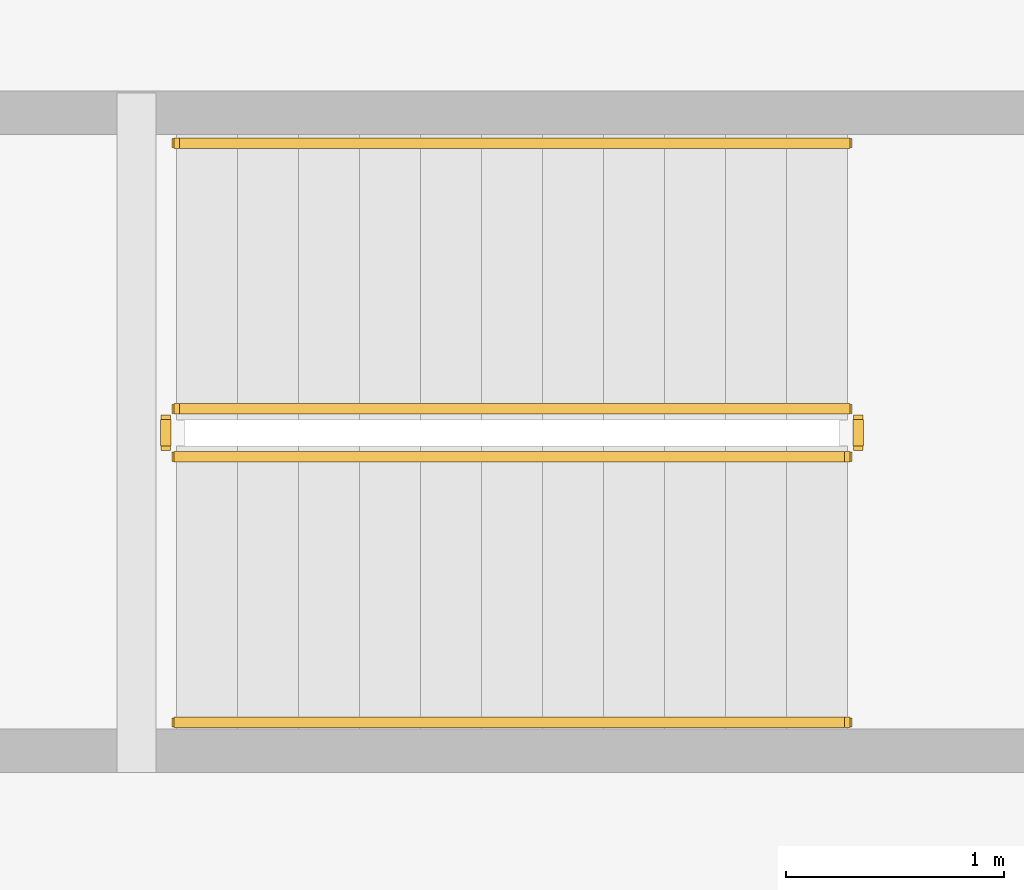
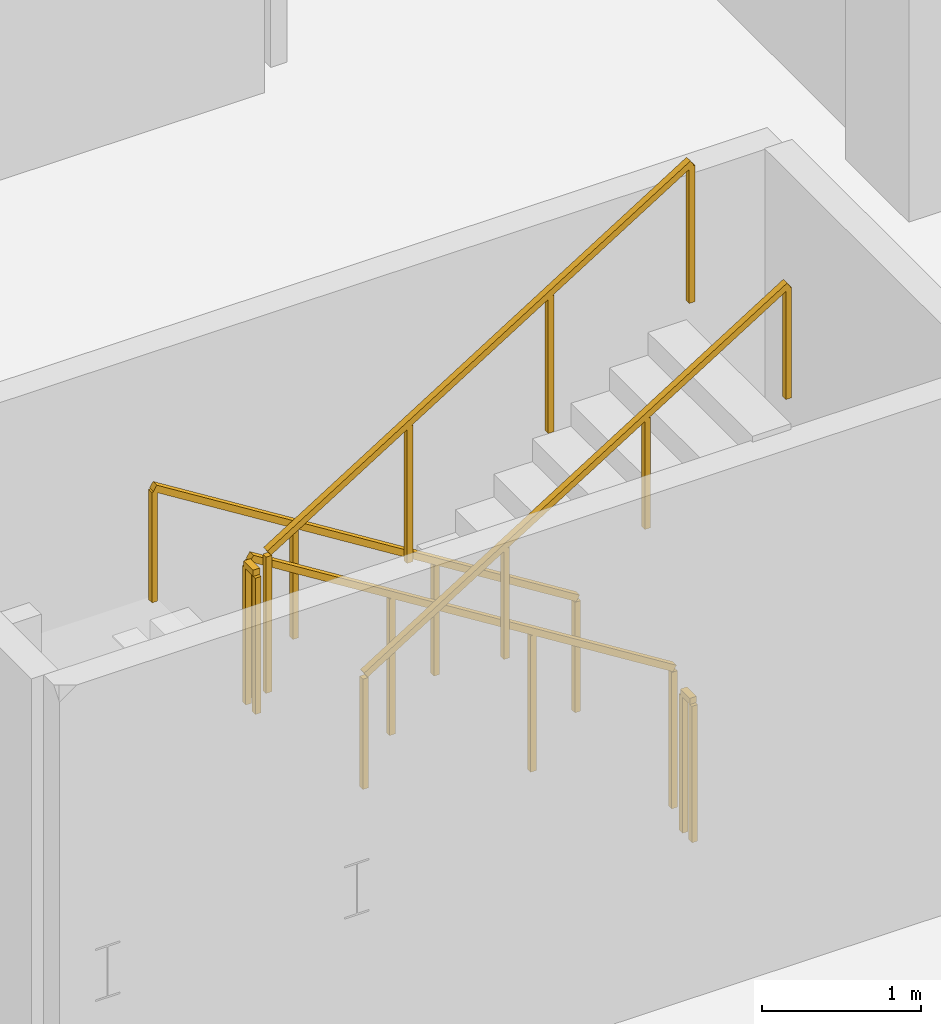
# One storey, part 17 of 21: 6 railings.
"""IFC4 building model written with IfcOpenShell, lengths in metres."""

from ifc_helpers import new_model, si_unit, direction, frame, origin, origin_2d, place, context, subcontext, project, spatial, rectangle, extrude, material, type_object, element, save


model = new_model("IFC4")

# Units and contexts
model_context = context("Model", 3, precision=1e-05, world=origin(), true_north=direction((0.0, 1.0)))
body_context = subcontext(model_context, "Body", "Model", "MODEL_VIEW")
ifc_project = project(units=[si_unit("LENGTHUNIT", "METRE"), si_unit("AREAUNIT", "SQUARE_METRE"), si_unit("VOLUMEUNIT", "CUBIC_METRE"), si_unit("PLANEANGLEUNIT", "RADIAN"), si_unit("MASSUNIT", "GRAM", prefix="KILO")], contexts=[model_context])

# Site, building, storey
site_placement = place(None, origin())
site = spatial("IfcSite", under=ifc_project, at=site_placement, CompositionType="ELEMENT")
building_placement = place(site_placement, origin())
building = spatial("IfcBuilding", under=site, at=building_placement, Name="Qhalaya Broadcast Tower", CompositionType="ELEMENT")
storey_placement = place(building_placement, frame((0.0, 0.0, 21.89990234375)))
storey = spatial("IfcBuildingStorey", under=building, at=storey_placement, Name="L05", CompositionType="ELEMENT", Elevation=21.89990234375)

# Railings
ifc_material = material(Name="Powder-Coated Galvanised Steel", Category="steel")
railing_type_1 = type_object("IfcRailingType", Name="Stair Wall Handrail 900", PredefinedType="HANDRAIL", material=ifc_material)
railing_1_placement = place(storey_placement, frame((-14.39990234375, -0.389892578125, 0.175048828125)))
element("IfcRailing", 1, at=railing_1_placement, inside=storey, type_object=railing_type_1, Name="L05 ST-P1 Stair Handrail 1", PredefinedType="HANDRAIL", context=body_context, shape_type="SweptSolid", body=[
    extrude(rectangle(XDim=0.048095703125, YDim=0.048095703125, at=origin_2d()), frame((0.0, 0.0, 0.8759765625), z_axis=(-0.847998304005, 0.0, 0.529998940003), x_axis=(0.0, -1.0, 0.0)), (0.0, 0.0, 1.0), 3.632080078125),
    extrude(rectangle(XDim=0.0419921875, YDim=0.0419921875, at=origin_2d()), origin(), (0.0, 0.0, 1.0), 0.849853515625),
    extrude(rectangle(XDim=0.0419921875, YDim=0.0419921875, at=origin_2d()), frame((-1.026611328125, 0.0, 0.6416015625)), (0.0, 0.0, 1.0), 0.849853515625),
    extrude(rectangle(XDim=0.0419921875, YDim=0.0419921875, at=origin_2d()), frame((-2.053466796875, 0.0, 1.283447265625)), (0.0, 0.0, 1.0), 0.849853515625),
    extrude(rectangle(XDim=0.0419921875, YDim=0.0419921875, at=origin_2d()), frame((-3.080078125, 0.0, 1.925048828125)), (0.0, 0.0, 1.0), 0.849853515625),
])
railing_2_placement = place(storey_placement, frame((-17.47998046875, -3.050048828125, 2.275146484375)))
element("IfcRailing", 2, at=railing_2_placement, inside=storey, type_object=railing_type_1, Name="L05 ST-P1 Stair Handrail 2", PredefinedType="HANDRAIL", context=body_context, shape_type="SweptSolid", body=[
    extrude(rectangle(XDim=0.048095703125, YDim=0.048095703125, at=origin_2d()), frame((0.0, 0.0, 0.8759765625), z_axis=(0.847998304005, 0.0, 0.529998940003), x_axis=(0.0, 1.0, 0.0)), (0.0, 0.0, 1.0), 3.632080078125),
    extrude(rectangle(XDim=0.0419921875, YDim=0.0419921875, at=origin_2d()), origin(), (0.0, 0.0, 1.0), 0.849853515625),
    extrude(rectangle(XDim=0.0419921875, YDim=0.0419921875, at=origin_2d()), frame((1.026611328125, 0.0, 0.6416015625)), (0.0, 0.0, 1.0), 0.849853515625),
    extrude(rectangle(XDim=0.0419921875, YDim=0.0419921875, at=origin_2d()), frame((2.053466796875, 0.0, 1.283447265625)), (0.0, 0.0, 1.0), 0.849853515625),
    extrude(rectangle(XDim=0.0419921875, YDim=0.0419921875, at=origin_2d()), frame((3.080078125, 0.0, 1.925048828125)), (0.0, 0.0, 1.0), 0.849853515625),
])
railing_type_2 = type_object("IfcRailingType", Name="Stair Well & Landing Guardrail 1100", PredefinedType="GUARDRAIL", material=ifc_material)
railing_3_placement = place(storey_placement, frame((-14.39990234375, -1.610107421875, 0.175048828125)))
element("IfcRailing", 3, at=railing_3_placement, inside=storey, type_object=railing_type_2, Name="L05 ST-P1 Stair Guard 1", PredefinedType="GUARDRAIL", context=body_context, shape_type="SweptSolid", body=[
    extrude(rectangle(XDim=0.048095703125, YDim=0.048095703125, at=origin_2d()), frame((0.0, 0.0, 1.076171875), z_axis=(-0.847998304005, 0.0, 0.529998940003), x_axis=(0.0, -1.0, 0.0)), (0.0, 0.0, 1.0), 3.632080078125),
    extrude(rectangle(XDim=0.0419921875, YDim=0.0419921875, at=origin_2d()), origin(), (0.0, 0.0, 1.0), 1.050048828125),
    extrude(rectangle(XDim=0.0419921875, YDim=0.0419921875, at=origin_2d()), frame((-1.026611328125, 0.0, 0.6416015625)), (0.0, 0.0, 1.0), 1.050048828125),
    extrude(rectangle(XDim=0.0419921875, YDim=0.0419921875, at=origin_2d()), frame((-2.053466796875, 0.0, 1.283447265625)), (0.0, 0.0, 1.0), 1.050048828125),
    extrude(rectangle(XDim=0.0419921875, YDim=0.0419921875, at=origin_2d()), frame((-3.080078125, 0.0, 1.925048828125)), (0.0, 0.0, 1.0), 1.050048828125),
])
railing_4_placement = place(storey_placement, frame((-17.530029296875, -1.659912109375, 2.10009765625)))
element("IfcRailing", 4, at=railing_4_placement, inside=storey, type_object=railing_type_2, Name="L05 ST-P1 Stair Guard 2", PredefinedType="GUARDRAIL", context=body_context, shape_type="SweptSolid", body=[
    extrude(rectangle(XDim=0.048095703125, YDim=0.048095703125, at=origin_2d()), frame((0.0, 0.0, 1.076171875), z_axis=(0.0, -1.0, 0.0), x_axis=(1.0, 0.0, 0.0)), (0.0, 0.0, 1.0), 0.1201171875),
    extrude(rectangle(XDim=0.0419921875, YDim=0.0419921875, at=origin_2d()), origin(), (0.0, 0.0, 1.0), 1.050048828125),
    extrude(rectangle(XDim=0.0419921875, YDim=0.0419921875, at=origin_2d()), frame((0.0, -0.1201171875, 0.0)), (0.0, 0.0, 1.0), 1.050048828125),
])
railing_5_placement = place(storey_placement, frame((-17.47998046875, -1.830078125, 2.275146484375)))
element("IfcRailing", 5, at=railing_5_placement, inside=storey, type_object=railing_type_2, Name="L05 ST-P1 Stair Guard 3", PredefinedType="GUARDRAIL", context=body_context, shape_type="SweptSolid", body=[
    extrude(rectangle(XDim=0.048095703125, YDim=0.048095703125, at=origin_2d()), frame((0.0, 0.0, 1.076171875), z_axis=(0.847998304005, 0.0, 0.529998940003), x_axis=(0.0, 1.0, 0.0)), (0.0, 0.0, 1.0), 3.632080078125),
    extrude(rectangle(XDim=0.0419921875, YDim=0.0419921875, at=origin_2d()), origin(), (0.0, 0.0, 1.0), 1.050048828125),
    extrude(rectangle(XDim=0.0419921875, YDim=0.0419921875, at=origin_2d()), frame((1.026611328125, 0.0, 0.6416015625)), (0.0, 0.0, 1.0), 1.050048828125),
    extrude(rectangle(XDim=0.0419921875, YDim=0.0419921875, at=origin_2d()), frame((2.053466796875, 0.0, 1.283447265625)), (0.0, 0.0, 1.0), 1.050048828125),
    extrude(rectangle(XDim=0.0419921875, YDim=0.0419921875, at=origin_2d()), frame((3.080078125, 0.0, 1.925048828125)), (0.0, 0.0, 1.0), 1.050048828125),
])
railing_6_placement = place(storey_placement, frame((-14.35009765625, -1.659912109375, 0.0)))
element("IfcRailing", 6, at=railing_6_placement, inside=storey, type_object=railing_type_2, Name="L05 ST-P1 Stair Guard 4", PredefinedType="GUARDRAIL", context=body_context, shape_type="SweptSolid", body=[
    extrude(rectangle(XDim=0.048095703125, YDim=0.048095703125, at=origin_2d()), frame((0.0, 0.0, 1.076171875), z_axis=(0.0, -1.0, 0.0), x_axis=(1.0, 0.0, 0.0)), (0.0, 0.0, 1.0), 0.1201171875),
    extrude(rectangle(XDim=0.0419921875, YDim=0.0419921875, at=origin_2d()), origin(), (0.0, 0.0, 1.0), 1.050048828125),
    extrude(rectangle(XDim=0.0419921875, YDim=0.0419921875, at=origin_2d()), frame((0.0, -0.1201171875, 0.0)), (0.0, 0.0, 1.0), 1.050048828125),
])

save(model, "model.ifc")
